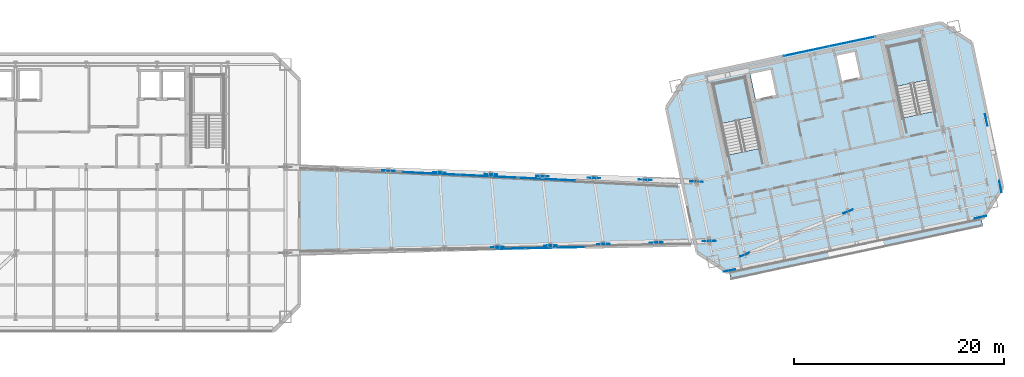
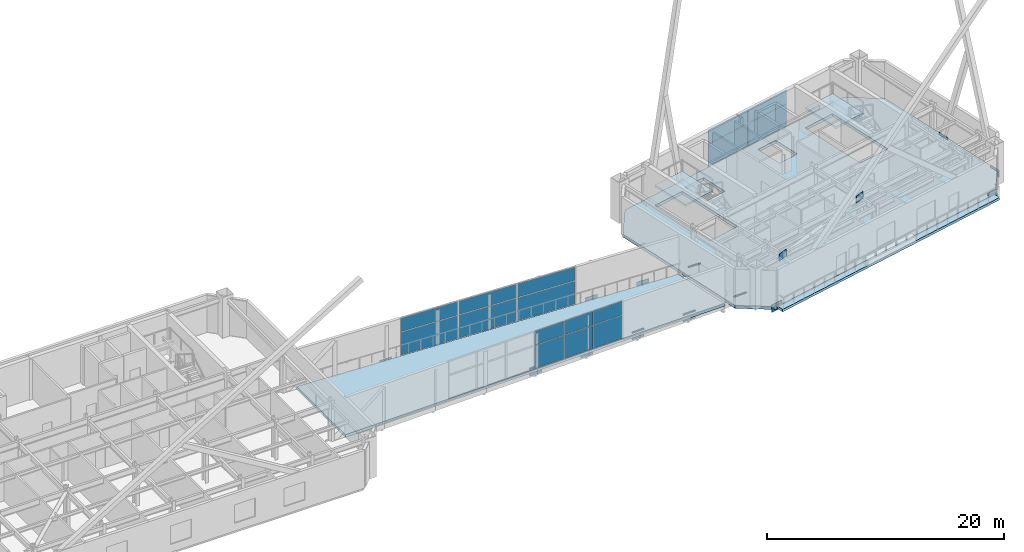
# One storey, part 14 of 23: 34 plates, 5 slabs, 8 elements without a shape of their own.
"""IFC4 building model written with IfcOpenShell, lengths in metres."""

from ifc_helpers import new_model, si_unit, direction, frame, origin, origin_2d, place, context, subcontext, project, spatial, polyline, rectangle, outline, extrude, material, layer, layer_set, type_object, element, aggregate, save


model = new_model("IFC4")

# Units and contexts
model_context = context("Model", 3, precision=1e-05, world=origin(), true_north=direction((0.0, 1.0)))
body_context = subcontext(model_context, "Body", "Model", "MODEL_VIEW")
ifc_project = project(units=[si_unit("LENGTHUNIT", "METRE"), si_unit("AREAUNIT", "SQUARE_METRE"), si_unit("VOLUMEUNIT", "CUBIC_METRE"), si_unit("PLANEANGLEUNIT", "RADIAN"), si_unit("MASSUNIT", "GRAM", prefix="KILO")], contexts=[model_context])

# Site, building, storey
site_placement = place(None, origin())
site = spatial("IfcSite", under=ifc_project, at=site_placement, CompositionType="ELEMENT")
building_placement = place(site_placement, origin())
building = spatial("IfcBuilding", under=site, at=building_placement, Name="Haevon Station Towers", CompositionType="ELEMENT")
storey_placement = place(building_placement, frame((0.0, 0.0, 197.10009765625)))
storey = spatial("IfcBuildingStorey", under=building, at=storey_placement, Name="L54", CompositionType="ELEMENT", Elevation=197.10009765625)

# Curtain wall, plates
ifc_material_1 = material(Name="Anodised aluminium and Low-E double glazing", Category="aluminium")
ifc_layer_1 = layer(ifc_material_1, 0.179931640625)
ifc_layer_set_1 = layer_set([ifc_layer_1], Name="Anodised aluminium and Low-E double glazing")
curtain_wall_type_1 = type_object("IfcCurtainWallType", Name="CW-SYS5", PredefinedType="NOTDEFINED", material=ifc_layer_set_1)
curtain_wall_1_placement = place(storey_placement, origin())
curtain_wall_1 = element("IfcCurtainWall", 1, at=curtain_wall_1_placement, inside=storey, type_object=curtain_wall_type_1, Name="L54 Curtain Wall CW-T2-L54-N", PredefinedType="NOTDEFINED")
ifc_material_2 = material(Name="Low-E double glazing", Category="glass")
ifc_layer_2 = layer(ifc_material_2, 0.028076171875)
ifc_layer_set_2 = layer_set([ifc_layer_2], Name="Low-E double glazing")
plate_type_1 = type_object("IfcPlateType", Name="CWP-GLZ28", PredefinedType="CURTAIN_PANEL", material=ifc_layer_set_2)
plate_1_placement = place(storey_placement, frame((106.224853515625, 49.254150390625, 0.06005859375), z_axis=(0.0, 0.0, 1.0), x_axis=(0.978147581095, 0.207911783211, 0.0)))
plate_1 = element("IfcPlate", 2, at=plate_1_placement, type_object=plate_type_1, Name="CW-SYS5 panel 1.1", PredefinedType="CURTAIN_PANEL", context=body_context, shape_type="SweptSolid", body=[
    extrude(rectangle(XDim=4.409912109375, YDim=0.028076171875, at=origin_2d()), origin(), (0.0, 0.0, 1.0), 2.297119140625),
])
plate_2_placement = place(storey_placement, frame((106.224853515625, 49.254150390625, 2.4169921875), z_axis=(0.0, 0.0, 1.0), x_axis=(0.978147581095, 0.207911783211, 0.0)))
plate_2 = element("IfcPlate", 3, at=plate_2_placement, type_object=plate_type_1, Name="CW-SYS5 panel 1.2", PredefinedType="CURTAIN_PANEL", context=body_context, shape_type="SweptSolid", body=[
    extrude(rectangle(XDim=4.409912109375, YDim=0.028076171875, at=origin_2d()), origin(), (0.0, 0.0, 1.0), 1.373046875),
])
plate_3_placement = place(storey_placement, frame((110.59716796875, 50.18359375, 0.06005859375), z_axis=(0.0, 0.0, 1.0), x_axis=(0.978147581095, 0.207911783211, 0.0)))
plate_3 = element("IfcPlate", 4, at=plate_3_placement, type_object=plate_type_1, Name="CW-SYS5 panel 2.1", PredefinedType="CURTAIN_PANEL", context=body_context, shape_type="SweptSolid", body=[
    extrude(rectangle(XDim=4.409912109375, YDim=0.028076171875, at=origin_2d()), origin(), (0.0, 0.0, 1.0), 2.297119140625),
])
plate_4_placement = place(storey_placement, frame((110.59716796875, 50.18359375, 2.4169921875), z_axis=(0.0, 0.0, 1.0), x_axis=(0.978147581095, 0.207911783211, 0.0)))
plate_4 = element("IfcPlate", 5, at=plate_4_placement, type_object=plate_type_1, Name="CW-SYS5 panel 2.2", PredefinedType="CURTAIN_PANEL", context=body_context, shape_type="SweptSolid", body=[
    extrude(rectangle(XDim=4.409912109375, YDim=0.028076171875, at=origin_2d()), origin(), (0.0, 0.0, 1.0), 1.373046875),
])
aggregate(curtain_wall_1, [plate_1, plate_2, plate_3, plate_4])

ifc_layer_3 = layer(ifc_material_1, 0.179931640625)
ifc_layer_set_3 = layer_set([ifc_layer_3], Name="Anodised aluminium and Low-E double glazing")
curtain_wall_type_2 = type_object("IfcCurtainWallType", Name="CW-SYS6", PredefinedType="NOTDEFINED", material=ifc_layer_set_3)
curtain_wall_2_placement = place(storey_placement, origin())
curtain_wall_2 = element("IfcCurtainWall", 6, at=curtain_wall_2_placement, inside=storey, type_object=curtain_wall_type_2, Name="L54 Curtain Wall CW-SKP-L54-S2", PredefinedType="NOTDEFINED")
ifc_material_3 = material(Name="Laminated acoustic double glazing", Category="glass")
ifc_layer_4 = layer(ifc_material_3, 0.031982421875)
ifc_layer_set_4 = layer_set([ifc_layer_4], Name="Laminated acoustic double glazing")
plate_type_2 = type_object("IfcPlateType", Name="CWP-GLZ32", PredefinedType="CURTAIN_PANEL", material=ifc_layer_set_4)
plate_5_placement = place(storey_placement, frame((77.96337890625, 30.4091796875, 0.06494140625), z_axis=(0.0, 0.0, 1.0), x_axis=(0.999792442137, 0.020373331736, 0.0)))
plate_5 = element("IfcPlate", 7, at=plate_5_placement, type_object=plate_type_2, Name="CW-SYS6 panel 2.1", PredefinedType="CURTAIN_PANEL", context=body_context, shape_type="SweptSolid", body=[
    extrude(rectangle(XDim=2.77294921875, YDim=0.031982421875, at=origin_2d()), origin(), (0.0, 0.0, 1.0), 2.3515625),
])
plate_6_placement = place(storey_placement, frame((77.96337890625, 30.4091796875, 2.4814453125), z_axis=(0.0, 0.0, 1.0), x_axis=(0.999792442137, 0.020373331736, 0.0)))
plate_6 = element("IfcPlate", 8, at=plate_6_placement, type_object=plate_type_2, Name="CW-SYS6 panel 2.2", PredefinedType="CURTAIN_PANEL", context=body_context, shape_type="SweptSolid", body=[
    extrude(rectangle(XDim=2.77294921875, YDim=0.031982421875, at=origin_2d()), origin(), (0.0, 0.0, 1.0), 1.403564453125),
])
aggregate(curtain_wall_2, [plate_5, plate_6])

curtain_wall_3_placement = place(storey_placement, origin())
curtain_wall_3 = element("IfcCurtainWall", 9, at=curtain_wall_3_placement, inside=storey, type_object=curtain_wall_type_2, Name="L54 Curtain Wall CW-SKP-L54-S3", PredefinedType="NOTDEFINED")
plate_7_placement = place(storey_placement, frame((80.85546875, 30.46826171875, 0.06494140625), z_axis=(0.0, 0.0, 1.0), x_axis=(0.99979243858, 0.020373506303, 0.0)))
plate_7 = element("IfcPlate", 10, at=plate_7_placement, type_object=plate_type_2, Name="CW-SYS6 panel 1.1", PredefinedType="CURTAIN_PANEL", context=body_context, shape_type="SweptSolid", body=[
    extrude(rectangle(XDim=2.77294921875, YDim=0.031982421875, at=origin_2d()), origin(), (0.0, 0.0, 1.0), 2.3515625),
])
plate_8_placement = place(storey_placement, frame((80.85546875, 30.46826171875, 2.4814453125), z_axis=(0.0, 0.0, 1.0), x_axis=(0.99979243858, 0.020373506303, 0.0)))
plate_8 = element("IfcPlate", 11, at=plate_8_placement, type_object=plate_type_2, Name="CW-SYS6 panel 1.2", PredefinedType="CURTAIN_PANEL", context=body_context, shape_type="SweptSolid", body=[
    extrude(rectangle(XDim=2.77294921875, YDim=0.031982421875, at=origin_2d()), origin(), (0.0, 0.0, 1.0), 1.403564453125),
])
plate_9_placement = place(storey_placement, frame((83.687744140625, 30.52587890625, 0.06494140625), z_axis=(0.0, 0.0, 1.0), x_axis=(0.99979243858, 0.020373506303, 0.0)))
plate_9 = element("IfcPlate", 12, at=plate_9_placement, type_object=plate_type_2, Name="CW-SYS6 panel 2.1", PredefinedType="CURTAIN_PANEL", context=body_context, shape_type="SweptSolid", body=[
    extrude(rectangle(XDim=2.77294921875, YDim=0.031982421875, at=origin_2d()), origin(), (0.0, 0.0, 1.0), 2.3515625),
])
plate_10_placement = place(storey_placement, frame((83.687744140625, 30.52587890625, 2.4814453125), z_axis=(0.0, 0.0, 1.0), x_axis=(0.99979243858, 0.020373506303, 0.0)))
plate_10 = element("IfcPlate", 13, at=plate_10_placement, type_object=plate_type_2, Name="CW-SYS6 panel 2.2", PredefinedType="CURTAIN_PANEL", context=body_context, shape_type="SweptSolid", body=[
    extrude(rectangle(XDim=2.77294921875, YDim=0.031982421875, at=origin_2d()), origin(), (0.0, 0.0, 1.0), 1.403564453125),
])
aggregate(curtain_wall_3, [plate_7, plate_8, plate_9, plate_10])

curtain_wall_4_placement = place(storey_placement, origin())
curtain_wall_4 = element("IfcCurtainWall", 14, at=curtain_wall_4_placement, inside=storey, type_object=curtain_wall_type_2, Name="L54 Curtain Wall CW-SKP-L54-N1", PredefinedType="NOTDEFINED")
plate_11_placement = place(storey_placement, frame((70.404541015625, 37.587890625, 0.06494140625), z_axis=(0.0, 0.0, 1.0), x_axis=(0.998807495714, -0.048821987934, 0.0)))
plate_11 = element("IfcPlate", 15, at=plate_11_placement, type_object=plate_type_2, Name="CW-SYS6 panel 1.1", PredefinedType="CURTAIN_PANEL", context=body_context, shape_type="SweptSolid", body=[
    extrude(rectangle(XDim=5.42626953125, YDim=0.031982421875, at=origin_2d()), origin(), (0.0, 0.0, 1.0), 2.3515625),
])
plate_12_placement = place(storey_placement, frame((70.404541015625, 37.587890625, 2.4814453125), z_axis=(0.0, 0.0, 1.0), x_axis=(0.998807495714, -0.048821987934, 0.0)))
plate_12 = element("IfcPlate", 16, at=plate_12_placement, type_object=plate_type_2, Name="CW-SYS6 panel 1.2", PredefinedType="CURTAIN_PANEL", context=body_context, shape_type="SweptSolid", body=[
    extrude(rectangle(XDim=5.42626953125, YDim=0.031982421875, at=origin_2d()), origin(), (0.0, 0.0, 1.0), 1.403564453125),
])
aggregate(curtain_wall_4, [plate_11, plate_12])

curtain_wall_5_placement = place(storey_placement, origin())
curtain_wall_5 = element("IfcCurtainWall", 17, at=curtain_wall_5_placement, inside=storey, type_object=curtain_wall_type_2, Name="L54 Curtain Wall CW-SKP-L54-N2", PredefinedType="NOTDEFINED")
plate_13_placement = place(storey_placement, frame((75.944091796875, 37.317138671875, 0.06494140625), z_axis=(0.0, 0.0, 1.0), x_axis=(0.998807496143, -0.048821979148, 0.0)))
plate_13 = element("IfcPlate", 18, at=plate_13_placement, type_object=plate_type_2, Name="CW-SYS6 panel 1.1", PredefinedType="CURTAIN_PANEL", context=body_context, shape_type="SweptSolid", body=[
    extrude(rectangle(XDim=5.42626953125, YDim=0.031982421875, at=origin_2d()), origin(), (0.0, 0.0, 1.0), 2.3515625),
])
plate_14_placement = place(storey_placement, frame((75.944091796875, 37.317138671875, 2.4814453125), z_axis=(0.0, 0.0, 1.0), x_axis=(0.998807496143, -0.048821979148, 0.0)))
plate_14 = element("IfcPlate", 19, at=plate_14_placement, type_object=plate_type_2, Name="CW-SYS6 panel 1.2", PredefinedType="CURTAIN_PANEL", context=body_context, shape_type="SweptSolid", body=[
    extrude(rectangle(XDim=5.42626953125, YDim=0.031982421875, at=origin_2d()), origin(), (0.0, 0.0, 1.0), 1.403564453125),
])
aggregate(curtain_wall_5, [plate_13, plate_14])

curtain_wall_6_placement = place(storey_placement, origin())
curtain_wall_6 = element("IfcCurtainWall", 20, at=curtain_wall_6_placement, inside=storey, type_object=curtain_wall_type_2, Name="L54 Curtain Wall CW-SKP-L54-N3", PredefinedType="NOTDEFINED")
plate_15_placement = place(storey_placement, frame((81.48388671875, 37.046142578125, 0.06494140625), z_axis=(0.0, 0.0, 1.0), x_axis=(0.998807495714, -0.048821987934, 0.0)))
plate_15 = element("IfcPlate", 21, at=plate_15_placement, type_object=plate_type_2, Name="CW-SYS6 panel 1.1", PredefinedType="CURTAIN_PANEL", context=body_context, shape_type="SweptSolid", body=[
    extrude(rectangle(XDim=5.42626953125, YDim=0.031982421875, at=origin_2d()), origin(), (0.0, 0.0, 1.0), 2.3515625),
])
plate_16_placement = place(storey_placement, frame((81.48388671875, 37.046142578125, 2.4814453125), z_axis=(0.0, 0.0, 1.0), x_axis=(0.998807495714, -0.048821987934, 0.0)))
plate_16 = element("IfcPlate", 22, at=plate_16_placement, type_object=plate_type_2, Name="CW-SYS6 panel 1.2", PredefinedType="CURTAIN_PANEL", context=body_context, shape_type="SweptSolid", body=[
    extrude(rectangle(XDim=5.42626953125, YDim=0.031982421875, at=origin_2d()), origin(), (0.0, 0.0, 1.0), 1.403564453125),
])
aggregate(curtain_wall_6, [plate_15, plate_16])

# Plates
ifc_material_4 = material(Name="PL-FLG2", Category="steel")
ifc_layer_5 = layer(ifc_material_4, 0.035888671875)
ifc_layer_set_5 = layer_set([ifc_layer_5], Name="PL-FLG2")
plate_type_3 = type_object("IfcPlateType", Name="PL-FLG2", PredefinedType="USERDEFINED", material=ifc_layer_set_5)
for number, where, z_axis, x_axis, name in (
    (23, (100.369873046875, 29.83251953125, 3.39013671875), (0.0, 0.0, 1.0), (0.922680142381, 0.385566278161, 0.0), "PL-T2TIE-L54-E1"),
    (24, (110.228759765625, 33.9521484375, 3.39013671875), (0.0, 0.0, 1.0), (0.922680142381, 0.385566278161, 0.0), "PL-T2TIE-L54-E2"),
):
    element("IfcPlate", number, at=place(storey_placement, frame(where, z_axis=z_axis, x_axis=x_axis)), inside=storey, type_object=plate_type_3, Name=name, ObjectType="FLANGE_PLATE", PredefinedType="USERDEFINED", context=body_context, shape_type="SweptSolid", body=[
        extrude(rectangle(XDim=0.949951171875, YDim=0.035888671875, at=origin_2d()), origin(), (0.0, 0.0, 1.0), 0.699951171875),
    ])
ifc_material_5 = material(Name="PL-GUS2", Category="steel")
ifc_layer_6 = layer(ifc_material_5, 0.031982421875)
ifc_layer_set_6 = layer_set([ifc_layer_6], Name="PL-GUS2")
plate_type_4 = type_object("IfcPlateType", Name="PL-GUS2", PredefinedType="USERDEFINED", material=ifc_layer_set_6)
for number, where, z_axis, x_axis, name in (
    (25, (76.75, 30.567626953125, -0.72509765625), (0.0, 0.0, 1.0), (0.999606549458, 0.028048997857, 0.0), "PL-SKP-NODE-S-5B"),
    (26, (81.80615234375, 30.70947265625, -0.72509765625), (0.0, 0.0, 1.0), (0.999606549458, 0.028048997857, 0.0), "PL-SKP-NODE-S-6B"),
    (27, (86.8623046875, 30.851318359375, -0.72509765625), (0.0, 0.0, 1.0), (0.999606549458, 0.028048997857, 0.0), "PL-SKP-NODE-S-7B"),
    (28, (91.918701171875, 30.9931640625, -0.72509765625), (0.0, 0.0, 1.0), (0.999606549458, 0.028048997857, 0.0), "PL-SKP-NODE-S-8B"),
    (29, (96.974853515625, 31.135009765625, -0.72509765625), (0.0, 0.0, 1.0), (0.999606549458, 0.028048997857, 0.0), "PL-SKP-NODE-S-9B"),
    (30, (66.3359375, 37.85205078125, -0.72509765625), (0.0, 0.0, 1.0), (0.999371798296, -0.035440214042, 0.0), "PL-SKP-NODE-N-3B"),
    (31, (71.241455078125, 37.67822265625, -0.72509765625), (0.0, 0.0, 1.0), (0.999371798296, -0.035440214042, 0.0), "PL-SKP-NODE-N-4B"),
    (32, (76.14697265625, 37.504150390625, -0.72509765625), (0.0, 0.0, 1.0), (0.999371798296, -0.035440214042, 0.0), "PL-SKP-NODE-N-5B"),
    (33, (81.052490234375, 37.330078125, -0.72509765625), (0.0, 0.0, 1.0), (0.999371798296, -0.035440214042, 0.0), "PL-SKP-NODE-N-6B"),
    (34, (85.9580078125, 37.15625, -0.72509765625), (0.0, 0.0, 1.0), (0.999371798296, -0.035440214042, 0.0), "PL-SKP-NODE-N-7B"),
    (35, (90.863525390625, 36.982177734375, -0.72509765625), (0.0, 0.0, 1.0), (0.999371798296, -0.035440214042, 0.0), "PL-SKP-NODE-N-8B"),
    (36, (95.76904296875, 36.808349609375, -0.72509765625), (0.0, 0.0, 1.0), (0.999371798296, -0.035440214042, 0.0), "PL-SKP-NODE-N-9B"),
):
    element("IfcPlate", number, at=place(storey_placement, frame(where, z_axis=z_axis, x_axis=x_axis)), inside=storey, type_object=plate_type_4, Name=name, ObjectType="GUSSET_PLATE", PredefinedType="USERDEFINED", context=body_context, shape_type="SweptSolid", body=[
        extrude(rectangle(XDim=1.199951171875, YDim=0.031982421875, at=origin_2d()), origin(), (0.0, 0.0, 1.0), 0.85009765625),
    ])
ifc_material_6 = material(Name="PL-SPL1", Category="steel")
ifc_layer_7 = layer(ifc_material_6, 0.031982421875)
ifc_layer_set_7 = layer_set([ifc_layer_7], Name="PL-SPL1")
plate_type_5 = type_object("IfcPlateType", Name="PL-SPL1", PredefinedType="USERDEFINED", material=ifc_layer_set_7)
for number, where, z_axis, x_axis, name in (
    (37, (98.9013671875, 28.32421875, -0.4951171875), (0.0, 0.0, 1.0), (0.978147600734, 0.207911690818, 0.0), "PL-T2SPL-T08-S-1"),
    (38, (122.865966796875, 33.41796875, -0.4951171875), (0.0, 0.0, 1.0), (0.978147600734, 0.207911690818, 0.0), "PL-T2SPL-T08-S-2"),
    (39, (124.7685546875, 36.34765625, -0.4951171875), (0.0, 0.0, 1.0), (-0.207911690818, 0.978147600734, 0.0), "PL-T2SPL-T08-E-1"),
    (40, (123.421142578125, 42.68603515625, -0.4951171875), (0.0, 0.0, 1.0), (-0.207911690818, 0.978147600734, 0.0), "PL-T2SPL-T08-E-2"),
):
    element("IfcPlate", number, at=place(storey_placement, frame(where, z_axis=z_axis, x_axis=x_axis)), inside=storey, type_object=plate_type_5, Name=name, ObjectType="SPLICE_PLATE", PredefinedType="USERDEFINED", context=body_context, shape_type="SweptSolid", body=[
        extrude(rectangle(XDim=1.10009765625, YDim=0.031982421875, at=origin_2d()), origin(), (0.0, 0.0, 1.0), 0.75),
    ])

# Stair, slab
ifc_material_7 = material(Name="Concrete C40/50", Category="concrete")
stair_type = type_object("IfcStairType", Name="STR-DL1450", PredefinedType="USERDEFINED", material=ifc_material_7)
stair_1_placement = place(storey_placement, origin())
stair_1 = element("IfcStair", 41, at=stair_1_placement, inside=storey, type_object=stair_type, Name="L54 Escape Stair ST3", ObjectType="TWO_RETURN_STAIR", PredefinedType="USERDEFINED")
ifc_layer_8 = layer(ifc_material_7, 0.199951171875)
ifc_layer_set_8 = layer_set([ifc_layer_8], Name="Concrete C40/50")
slab_type_1 = type_object("IfcSlabType", Name="SL-LND200", PredefinedType="LANDING", material=ifc_layer_set_8)
slab_1_placement = place(storey_placement, frame((0.0, 0.0, 1.89990234375)))
slab_1 = element("IfcSlab", 42, at=slab_1_placement, type_object=slab_type_1, Name="L54 ST3 Half Landing 1", PredefinedType="LANDING", context=body_context, shape_type="SweptSolid", body=[
    extrude(outline(polyline([(101.171630859375, 42.99072265625), (100.36572265625, 46.781982421875), (97.33349609375, 46.137451171875), (98.139404296875, 42.34619140625), (101.171630859375, 42.99072265625)])), origin(), (0.0, 0.0, 1.0), 0.199951171875),
])
aggregate(stair_1, [slab_1])

stair_2_placement = place(storey_placement, origin())
stair_2 = element("IfcStair", 43, at=stair_2_placement, inside=storey, type_object=stair_type, Name="L54 Escape Stair ST4", ObjectType="TWO_RETURN_STAIR", PredefinedType="USERDEFINED")
slab_2_placement = place(storey_placement, frame((0.0, 0.0, 1.89990234375)))
slab_2 = element("IfcSlab", 44, at=slab_2_placement, type_object=slab_type_1, Name="L54 ST4 Half Landing 1", PredefinedType="LANDING", context=body_context, shape_type="SweptSolid", body=[
    extrude(outline(polyline([(117.85888671875, 46.53759765625), (117.052978515625, 50.328857421875), (114.020751953125, 49.684326171875), (114.82666015625, 45.89306640625), (117.85888671875, 46.53759765625)])), origin(), (0.0, 0.0, 1.0), 0.199951171875),
])
aggregate(stair_2, [slab_2])

# Slabs
ifc_layer_9 = layer(ifc_material_7, 0.300048828125)
ifc_layer_set_9 = layer_set([ifc_layer_9], Name="Concrete C40/50")
slab_type_2 = type_object("IfcSlabType", Name="SL-POD300", PredefinedType="FLOOR", material=ifc_layer_set_9)
slab_3_placement = place(storey_placement, frame((0.0, 0.0, -0.300048828125)))
element("IfcSlab", 45, at=slab_3_placement, inside=storey, type_object=slab_type_2, Name="SL-T2-L54", PredefinedType="FLOOR", context=body_context, shape_type="SweptSolid", body=[
    extrude(outline(polyline([(98.7919921875, 28.116943359375), (123.050048828125, 33.273193359375), (124.975830078125, 36.23828125), (122.037841796875, 50.0595703125), (119.07275390625, 51.985107421875), (94.814697265625, 46.828857421875), (92.88916015625, 43.86376953125), (95.826904296875, 30.04248046875), (98.7919921875, 28.116943359375)]), holes=[polyline([(101.8095703125, 39.98974609375), (100.36572265625, 46.781982421875), (97.33349609375, 46.137451171875), (98.77734375, 39.34521484375), (101.8095703125, 39.98974609375)]), polyline([(118.496826171875, 43.53662109375), (117.052978515625, 50.328857421875), (114.020751953125, 49.684326171875), (115.464599609375, 42.89208984375), (118.496826171875, 43.53662109375)]), polyline([(101.43212890625, 44.554931640625), (103.486328125, 44.99169921875), (102.9248046875, 47.632568359375), (100.870849609375, 47.196044921875), (101.43212890625, 44.554931640625)]), polyline([(109.55078125, 46.28076171875), (111.507080078125, 46.696533203125), (110.94580078125, 49.33740234375), (108.989501953125, 48.921630859375), (109.55078125, 46.28076171875)])]), origin(), (0.0, 0.0, 1.0), 0.300048828125),
])
slab_4_placement = place(storey_placement, frame((0.0, 0.0, -0.300048828125)))
element("IfcSlab", 46, at=slab_4_placement, inside=storey, type_object=slab_type_2, Name="L54 Sky-Park Bridge Gallery Floor Slab", PredefinedType="FLOOR", context=body_context, shape_type="SweptSolid", body=[
    extrude(outline(polyline([(57.8798828125, 30.0), (95.214111328125, 30.7607421875), (94.00830078125, 36.43408203125), (57.8798828125, 38.199951171875), (57.8798828125, 30.0)])), origin(), (0.0, 0.0, 1.0), 0.300048828125),
])
ifc_layer_10 = layer(ifc_material_7, 0.25)
ifc_layer_set_10 = layer_set([ifc_layer_10], Name="Concrete C40/50")
slab_type_3 = type_object("IfcSlabType", Name="SL-TERR250", PredefinedType="FLOOR", material=ifc_layer_set_10)
slab_5_placement = place(storey_placement, frame((0.0, 0.0, -0.25)))
element("IfcSlab", 47, at=slab_5_placement, inside=storey, type_object=slab_type_3, Name="Tower 2 L54 Sky Garden Terrace", PredefinedType="FLOOR", context=body_context, shape_type="SweptSolid", body=[
    extrude(outline(polyline([(99.02294921875, 27.51171875), (123.08544921875, 32.626220703125), (122.953369140625, 33.247314453125), (98.890869140625, 28.1328125), (99.02294921875, 27.51171875)])), origin(), (0.0, 0.0, 1.0), 0.25),
])

save(model, "model.ifc")
